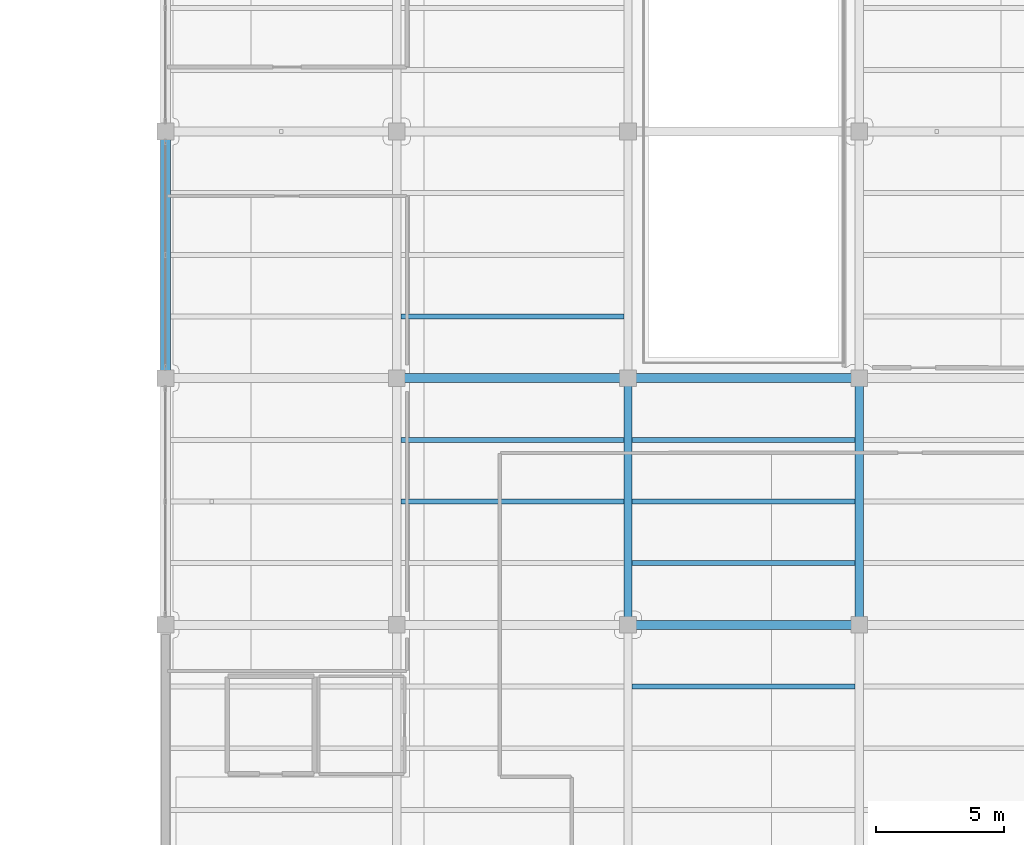
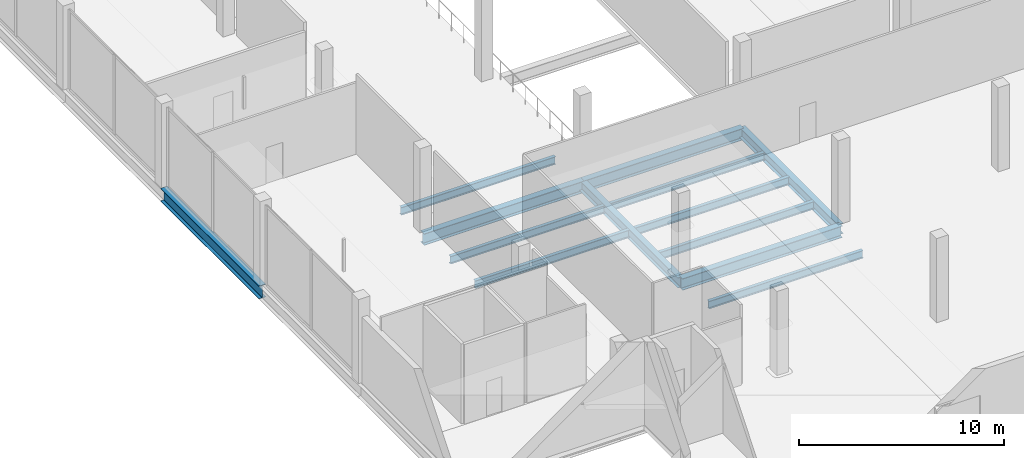
# One storey, part 6 of 46: 13 beams.
"""IFC4 building model written with IfcOpenShell, lengths in metres."""

from ifc_helpers import new_model, si_unit, direction, frame, origin, origin_2d, place, context, subcontext, project, spatial, i_section, extrude, material, material_profile, profile_set, type_object, element, save


model = new_model("IFC4")

# Units and contexts
model_context = context("Model", 3, precision=1e-05, world=origin(), true_north=direction((0.0, 1.0)))
body_context = subcontext(model_context, "Body", "Model", "MODEL_VIEW")
ifc_project = project(units=[si_unit("LENGTHUNIT", "METRE"), si_unit("AREAUNIT", "SQUARE_METRE"), si_unit("VOLUMEUNIT", "CUBIC_METRE"), si_unit("PLANEANGLEUNIT", "RADIAN"), si_unit("MASSUNIT", "GRAM", prefix="KILO")], contexts=[model_context])

# Site, building, storey
site_placement = place(None, origin())
site = spatial("IfcSite", under=ifc_project, at=site_placement, CompositionType="ELEMENT")
building_placement = place(site_placement, origin())
building = spatial("IfcBuilding", under=site, at=building_placement, Name="Qorvath Tower", CompositionType="ELEMENT")
storey_placement = place(building_placement, frame((0.0, 0.0, 17.0)))
storey = spatial("IfcBuildingStorey", under=building, at=storey_placement, Name="L03", CompositionType="ELEMENT", Elevation=17.0)

# Beams
ifc_material_1 = material(Name="Steel ASTM A992 Grade 50", Category="steel")
ifc_material_profile_1 = material_profile(ifc_material_1, i_section(OverallWidth=0.381103515625, OverallDepth=0.77294921875, WebThickness=0.0166015625, FlangeThickness=0.027099609375, FilletRadius=0.01904296875, at=origin_2d()), Name="W30x173")
ifc_profile_set_1 = profile_set([ifc_material_profile_1], Name="Steel ASTM A992 Grade 50")
beam_type_1 = type_object("IfcBeamType", Name="BM-FG3", PredefinedType="BEAM", material=ifc_profile_set_1)
beam_placement = place(storey_placement, frame((32.39990234375, -9.60009765625, -0.646484375), z_axis=(0.0, 1.0, 0.0), x_axis=(-1.0, 0.0, 0.0)))
element("IfcBeam", 1, at=beam_placement, inside=storey, type_object=beam_type_1, Name="Library N-S Girder L03-1-4", PredefinedType="BEAM", context=body_context, shape_type="SweptSolid", body=[
    extrude(i_section(OverallWidth=0.381103515625, OverallDepth=0.77294921875, WebThickness=0.0166015625, FlangeThickness=0.027099609375, FilletRadius=0.01904296875, at=origin_2d()), origin(), (0.0, 0.0, 1.0), 9.60009765625),
])
ifc_material_2 = material(Name="Steel ASTM A992 Grade 50", Category="steel")
ifc_material_profile_2 = material_profile(ifc_material_2, i_section(OverallWidth=0.35595703125, OverallDepth=0.696044921875, WebThickness=0.015380859375, FlangeThickness=0.02490234375, FilletRadius=0.01806640625, at=origin_2d()), Name="W27x146")
ifc_profile_set_2 = profile_set([ifc_material_profile_2], Name="Steel ASTM A992 Grade 50")
beam_type_2 = type_object("IfcBeamType", Name="BM-FG4", PredefinedType="BEAM", material=ifc_profile_set_2)
for number, where, z_axis, x_axis, name in (
    (2, (50.39990234375, -19.199951171875, -0.60791015625), (1.0, 0.0, 0.0), (0.0, 1.0, 0.0), "Library E-W Girder L03-3-3"),
    (3, (41.39990234375, -9.60009765625, -0.60791015625), (1.0, 0.0, 0.0), (0.0, 1.0, 0.0), "Library E-W Girder L03-4-2"),
    (4, (50.39990234375, -9.60009765625, -0.60791015625), (1.0, 0.0, 0.0), (0.0, 1.0, 0.0), "Library E-W Girder L03-4-3"),
):
    element("IfcBeam", number, at=place(storey_placement, frame(where, z_axis=z_axis, x_axis=x_axis)), inside=storey, type_object=beam_type_2, Name=name, PredefinedType="BEAM", context=body_context, shape_type="SweptSolid", body=[
        extrude(i_section(OverallWidth=0.35595703125, OverallDepth=0.696044921875, WebThickness=0.015380859375, FlangeThickness=0.02490234375, FilletRadius=0.01806640625, at=origin_2d()), origin(), (0.0, 0.0, 1.0), 9.0),
    ])
ifc_material_3 = material(Name="Steel ASTM A992 Grade 50", Category="steel")
ifc_material_profile_3 = material_profile(ifc_material_3, i_section(OverallWidth=0.324951171875, OverallDepth=0.615966796875, WebThickness=0.013916015625, FlangeThickness=0.021484375, FilletRadius=0.01611328125, at=origin_2d()), Name="W24x117")
ifc_profile_set_3 = profile_set([ifc_material_profile_3], Name="Steel ASTM A992 Grade 50")
beam_type_3 = type_object("IfcBeamType", Name="BM-FG5", PredefinedType="BEAM", material=ifc_profile_set_3)
for number, where, z_axis, x_axis, name in (
    (5, (50.39990234375, -19.199951171875, -0.568115234375), (0.0, 1.0, 0.0), (-1.0, 0.0, 0.0), "Library N-S Girder L03-3-3"),
    (6, (59.39990234375, -19.199951171875, -0.568115234375), (0.0, 1.0, 0.0), (-1.0, 0.0, 0.0), "Library N-S Girder L03-4-3"),
):
    element("IfcBeam", number, at=place(storey_placement, frame(where, z_axis=z_axis, x_axis=x_axis)), inside=storey, type_object=beam_type_3, Name=name, PredefinedType="BEAM", context=body_context, shape_type="SweptSolid", body=[
        extrude(i_section(OverallWidth=0.324951171875, OverallDepth=0.615966796875, WebThickness=0.013916015625, FlangeThickness=0.021484375, FilletRadius=0.01611328125, at=origin_2d()), origin(), (0.0, 0.0, 1.0), 9.599853515625),
    ])
ifc_material_4 = material(Name="Steel ASTM A992 Grade 50", Category="steel")
ifc_material_profile_4 = material_profile(ifc_material_4, i_section(OverallWidth=0.18994140625, OverallDepth=0.45703125, WebThickness=0.009033203125, FlangeThickness=0.014404296875, FilletRadius=0.011962890625, at=origin_2d()), Name="W18x50")
ifc_profile_set_4 = profile_set([ifc_material_profile_4], Name="Steel ASTM A992 Grade 50")
beam_type_4 = type_object("IfcBeamType", Name="BM-FJ2", PredefinedType="JOIST", material=ifc_profile_set_4)
for number, where, z_axis, x_axis, name in (
    (7, (50.560546875, -21.60009765625, -0.488525390625), (1.0, 0.0, 0.0), (0.0, 1.0, 0.0), "Library Stack Joist L03-2.3-3"),
    (8, (50.560546875, -16.800048828125, -0.488525390625), (1.0, 0.0, 0.0), (0.0, 1.0, 0.0), "Library Stack Joist L03-3.1-3"),
    (9, (41.560546875, -14.39990234375, -0.488525390625), (1.0, 0.0, 0.0), (0.0, 1.0, 0.0), "Library Stack Joist L03-3.2-2"),
    (10, (50.560546875, -14.39990234375, -0.488525390625), (1.0, 0.0, 0.0), (0.0, 1.0, 0.0), "Library Stack Joist L03-3.2-3"),
    (11, (41.560546875, -12.0, -0.488525390625), (1.0, 0.0, 0.0), (0.0, 1.0, 0.0), "Library Stack Joist L03-3.3-2"),
    (12, (50.560546875, -12.0, -0.488525390625), (1.0, 0.0, 0.0), (0.0, 1.0, 0.0), "Library Stack Joist L03-3.3-3"),
    (13, (41.560546875, -7.199951171875, -0.488525390625), (1.0, 0.0, 0.0), (0.0, 1.0, 0.0), "Library Stack Joist L03-4.1-2"),
):
    element("IfcBeam", number, at=place(storey_placement, frame(where, z_axis=z_axis, x_axis=x_axis)), inside=storey, type_object=beam_type_4, Name=name, PredefinedType="JOIST", context=body_context, shape_type="SweptSolid", body=[
        extrude(i_section(OverallWidth=0.18994140625, OverallDepth=0.45703125, WebThickness=0.009033203125, FlangeThickness=0.014404296875, FilletRadius=0.011962890625, at=origin_2d()), origin(), (0.0, 0.0, 1.0), 8.678955078125),
    ])

save(model, "model.ifc")
